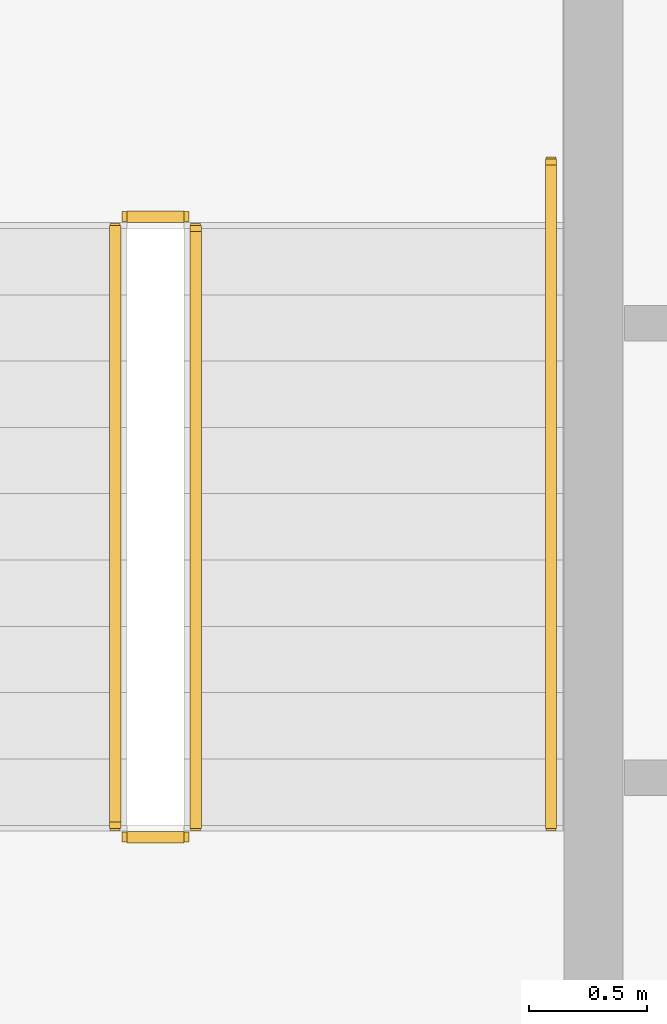
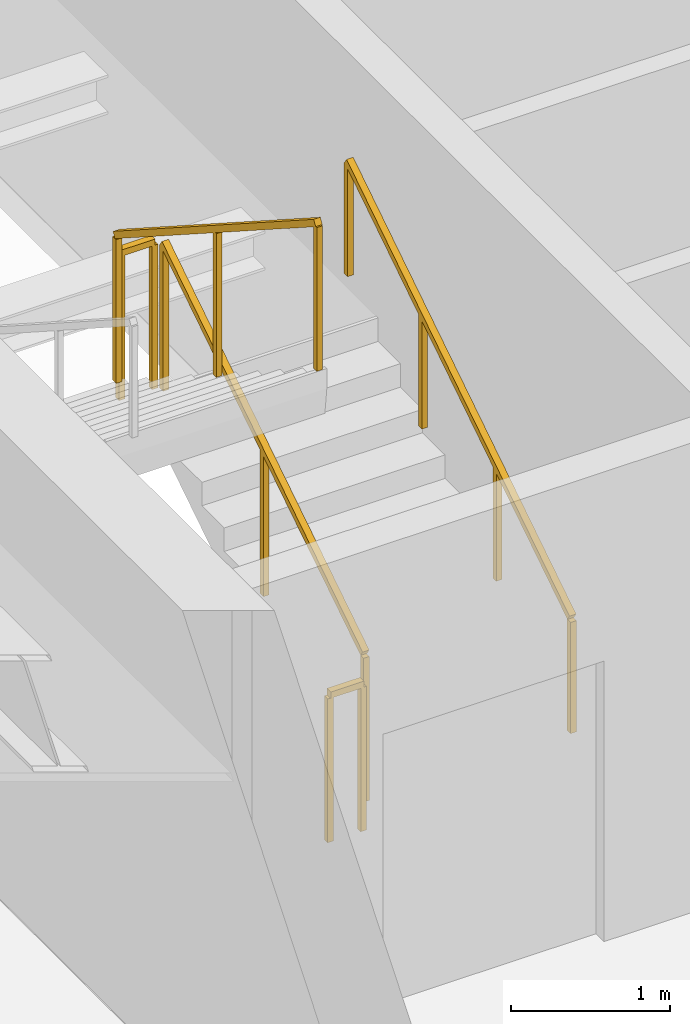
# One storey, part 20 of 22: 5 railings.
"""IFC4 building model written with IfcOpenShell, lengths in metres."""

from ifc_helpers import new_model, si_unit, direction, frame, origin, origin_2d, place, context, subcontext, project, spatial, rectangle, extrude, material, type_object, element, save


model = new_model("IFC4")

# Units and contexts
model_context = context("Model", 3, precision=1e-05, world=origin(), true_north=direction((0.0, 1.0)))
body_context = subcontext(model_context, "Body", "Model", "MODEL_VIEW")
ifc_project = project(units=[si_unit("LENGTHUNIT", "METRE"), si_unit("AREAUNIT", "SQUARE_METRE"), si_unit("VOLUMEUNIT", "CUBIC_METRE"), si_unit("PLANEANGLEUNIT", "RADIAN"), si_unit("MASSUNIT", "GRAM", prefix="KILO")], contexts=[model_context])

# Site, building, storey
site_placement = place(None, origin())
site = spatial("IfcSite", under=ifc_project, at=site_placement, CompositionType="ELEMENT")
building_placement = place(site_placement, origin())
building = spatial("IfcBuilding", under=site, at=building_placement, Name="Sumidabori Civic Tower", CompositionType="ELEMENT")
storey_placement = place(building_placement, frame((0.0, 0.0, 272.0)))
storey = spatial("IfcBuildingStorey", under=building, at=storey_placement, Name="L71", CompositionType="ELEMENT", Elevation=272.0)

# Railings
ifc_material_1 = material(Name="Stainless Steel Hairline Finish", Category="steel")
railing_type_1 = type_object("IfcRailingType", Name="RL-HANDRAIL", PredefinedType="HANDRAIL", material=ifc_material_1)
railing_1_placement = place(storey_placement, frame((-11.949951171875, 16.0, 0.179931640625)))
element("IfcRailing", 1, at=railing_1_placement, inside=storey, type_object=railing_type_1, Name="L71 ST-1 stair handrail 1", PredefinedType="HANDRAIL", context=body_context, shape_type="SweptSolid", body=[
    extrude(rectangle(XDim=0.048095703125, YDim=0.048095703125, at=origin_2d()), frame((0.0, 0.0, 0.8759765625), z_axis=(0.0, 0.84064222762, 0.54159084662), x_axis=(-1.0, 0.0, 0.0)), (0.0, 0.0, 1.0), 3.330810546875),
    extrude(rectangle(XDim=0.0419921875, YDim=0.0419921875, at=origin_2d()), origin(), (0.0, 0.0, 1.0), 0.851806640625),
    extrude(rectangle(XDim=0.0419921875, YDim=0.0419921875, at=origin_2d()), frame((0.0, 0.933349609375, 0.601318359375)), (0.0, 0.0, 1.0), 0.851806640625),
    extrude(rectangle(XDim=0.0419921875, YDim=0.0419921875, at=origin_2d()), frame((0.0, 1.86669921875, 1.20263671875)), (0.0, 0.0, 1.0), 0.851806640625),
    extrude(rectangle(XDim=0.0419921875, YDim=0.0419921875, at=origin_2d()), frame((0.0, 2.800048828125, 1.803955078125)), (0.0, 0.0, 1.0), 0.851806640625),
])
ifc_material_2 = material(Name="Steel SN490", Category="steel")
railing_type_2 = type_object("IfcRailingType", Name="RL-STAIR-GUARD", PredefinedType="GUARDRAIL", material=ifc_material_2)
railing_2_placement = place(storey_placement, frame((-13.449951171875, 16.0, 0.179931640625)))
element("IfcRailing", 2, at=railing_2_placement, inside=storey, type_object=railing_type_2, Name="L71 ST-1 stair guard 1", PredefinedType="GUARDRAIL", context=body_context, shape_type="SweptSolid", body=[
    extrude(rectangle(XDim=0.048095703125, YDim=0.048095703125, at=origin_2d()), frame((0.0, 0.0, 1.1259765625), z_axis=(0.0, 0.841162588446, 0.540782303519), x_axis=(-1.0, 0.0, 0.0)), (0.0, 0.0, 1.0), 2.995849609375),
    extrude(rectangle(XDim=0.0419921875, YDim=0.0419921875, at=origin_2d()), origin(), (0.0, 0.0, 1.0), 1.101806640625),
    extrude(rectangle(XDim=0.0419921875, YDim=0.0419921875, at=origin_2d()), frame((0.0, 1.260009765625, 0.81005859375)), (0.0, 0.0, 1.0), 1.101806640625),
    extrude(rectangle(XDim=0.0419921875, YDim=0.0419921875, at=origin_2d()), frame((0.0, 2.52001953125, 1.6201171875)), (0.0, 0.0, 1.0), 1.101806640625),
])
railing_3_placement = place(storey_placement, frame((-13.5, 18.570068359375, 1.800048828125)))
element("IfcRailing", 3, at=railing_3_placement, inside=storey, type_object=railing_type_2, Name="L71 ST-1 stair guard 2", PredefinedType="GUARDRAIL", context=body_context, shape_type="SweptSolid", body=[
    extrude(rectangle(XDim=0.048095703125, YDim=0.048095703125, at=origin_2d()), frame((0.0, 0.0, 1.1259765625), z_axis=(-1.0, 0.0, 0.0), x_axis=(0.0, -1.0, 0.0)), (0.0, 0.0, 1.0), 0.239990234375),
    extrude(rectangle(XDim=0.0419921875, YDim=0.0419921875, at=origin_2d()), origin(), (0.0, 0.0, 1.0), 1.101806640625),
    extrude(rectangle(XDim=0.0419921875, YDim=0.0419921875, at=origin_2d()), frame((-0.239990234375, 0.0, 0.0)), (0.0, 0.0, 1.0), 1.101806640625),
])
railing_4_placement = place(storey_placement, frame((-13.7900390625, 18.52001953125, 1.97998046875)))
element("IfcRailing", 4, at=railing_4_placement, inside=storey, type_object=railing_type_2, Name="L71 ST-1 stair guard 3", PredefinedType="GUARDRAIL", context=body_context, shape_type="SweptSolid", body=[
    extrude(rectangle(XDim=0.048095703125, YDim=0.048095703125, at=origin_2d()), frame((0.0, 0.0, 1.1259765625), z_axis=(0.0, -0.841162588446, 0.540782303519), x_axis=(1.0, 0.0, 0.0)), (0.0, 0.0, 1.0), 2.995849609375),
    extrude(rectangle(XDim=0.0419921875, YDim=0.0419921875, at=origin_2d()), origin(), (0.0, 0.0, 1.0), 1.101806640625),
    extrude(rectangle(XDim=0.0419921875, YDim=0.0419921875, at=origin_2d()), frame((0.0, -1.260009765625, 0.81005859375)), (0.0, 0.0, 1.0), 1.101806640625),
    extrude(rectangle(XDim=0.0419921875, YDim=0.0419921875, at=origin_2d()), frame((0.0, -2.52001953125, 1.6201171875)), (0.0, 0.0, 1.0), 1.101806640625),
])
railing_5_placement = place(storey_placement, frame((-13.5, 15.949951171875, 0.0)))
element("IfcRailing", 5, at=railing_5_placement, inside=storey, type_object=railing_type_2, Name="L71 ST-1 stair guard 4", PredefinedType="GUARDRAIL", context=body_context, shape_type="SweptSolid", body=[
    extrude(rectangle(XDim=0.048095703125, YDim=0.048095703125, at=origin_2d()), frame((0.0, 0.0, 1.1259765625), z_axis=(-1.0, 0.0, 0.0), x_axis=(0.0, -1.0, 0.0)), (0.0, 0.0, 1.0), 0.239990234375),
    extrude(rectangle(XDim=0.0419921875, YDim=0.0419921875, at=origin_2d()), origin(), (0.0, 0.0, 1.0), 1.101806640625),
    extrude(rectangle(XDim=0.0419921875, YDim=0.0419921875, at=origin_2d()), frame((-0.239990234375, 0.0, 0.0)), (0.0, 0.0, 1.0), 1.101806640625),
])

save(model, "model.ifc")
